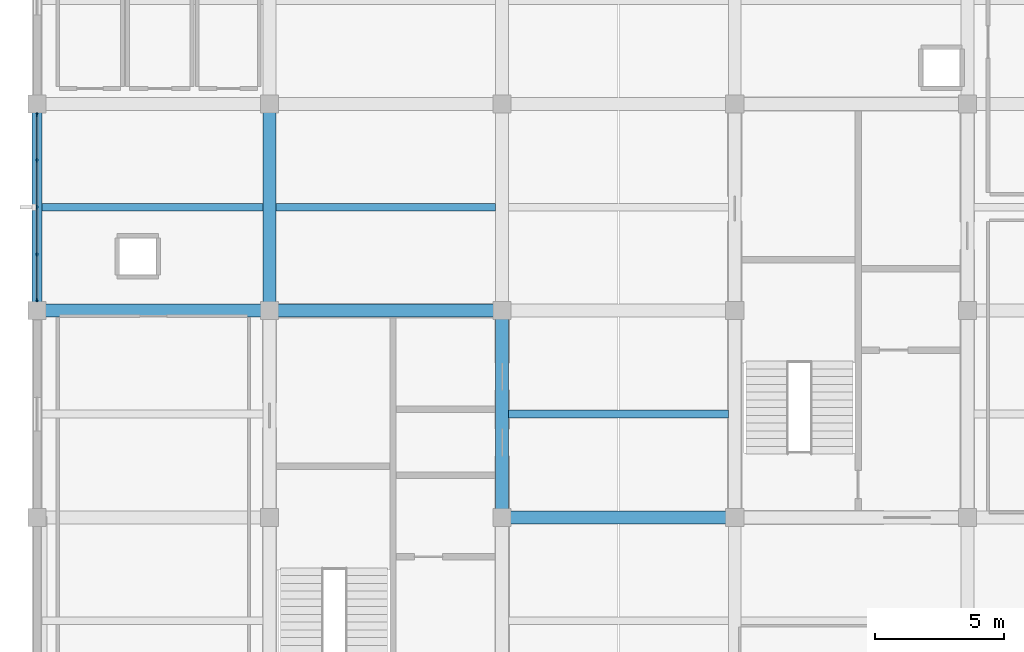
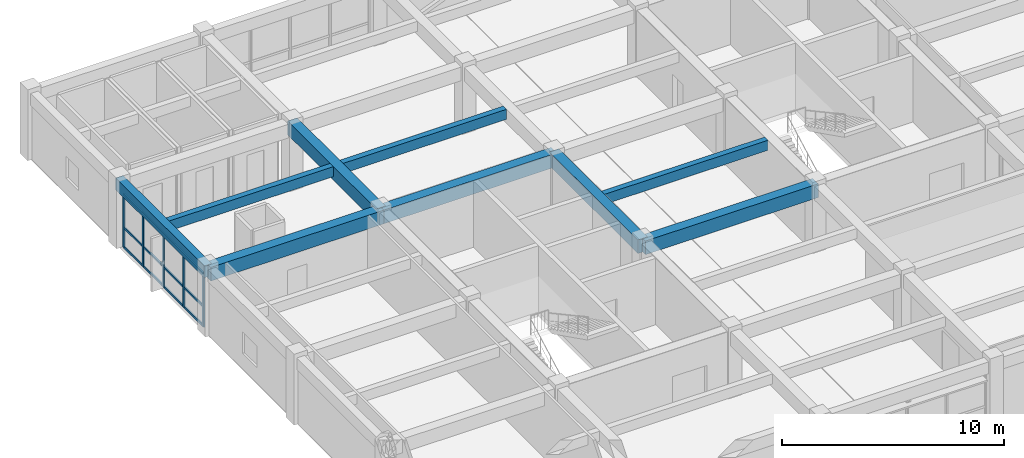
# One storey, part 4 of 13: 9 beams, 8 members, 1 element without a shape of its own.
"""IFC4 building model written with IfcOpenShell, lengths in metres."""

from ifc_helpers import new_model, si_unit, direction, frame, origin, origin_2d, place, context, subcontext, project, spatial, rectangle, extrude, material, material_profile, profile_set, type_object, element, aggregate, save


model = new_model("IFC4")

# Units and contexts
model_context = context("Model", 3, precision=1e-05, world=origin(), true_north=direction((0.0, 1.0)))
body_context = subcontext(model_context, "Body", "Model", "MODEL_VIEW")
ifc_project = project(units=[si_unit("LENGTHUNIT", "METRE"), si_unit("AREAUNIT", "SQUARE_METRE"), si_unit("VOLUMEUNIT", "CUBIC_METRE"), si_unit("PLANEANGLEUNIT", "RADIAN"), si_unit("MASSUNIT", "GRAM", prefix="KILO")], contexts=[model_context])

# Site, building, storey
site_placement = place(None, origin())
site = spatial("IfcSite", under=ifc_project, at=site_placement, CompositionType="ELEMENT")
building_placement = place(site_placement, origin())
building = spatial("IfcBuilding", under=site, at=building_placement, Name="Zaverband Oceanarium and Marine Research Institute", CompositionType="ELEMENT")
storey_placement = place(building_placement, frame((0.0, 0.0, 60.89990234375)))
storey = spatial("IfcBuildingStorey", under=building, at=storey_placement, Name="L15", CompositionType="ELEMENT", Elevation=60.89990234375)

# Beams
ifc_material_1 = material(Name="Concrete C40/50", Category="concrete")
ifc_material_profile_1 = material_profile(ifc_material_1, rectangle(XDim=0.5, YDim=0.75, at=origin_2d()), Name="RC500x750")
ifc_profile_set_1 = profile_set([ifc_material_profile_1], Name="Concrete C40/50")
beam_type_1 = type_object("IfcBeamType", Name="BM-500x750", PredefinedType="BEAM", material=ifc_profile_set_1)
for number, where, z_axis, x_axis, name in (
    (1, (27.0, 88.0, 3.275146484375), (1.0, 0.0, 0.0), (0.0, 1.0, 0.0), "Primary floor girder BM-500x750"),
    (2, (9.0, 96.0, 3.275146484375), (1.0, 0.0, 0.0), (0.0, 1.0, 0.0), "Primary floor girder BM-500x750"),
    (3, (18.0, 96.0, 3.275146484375), (1.0, 0.0, 0.0), (0.0, 1.0, 0.0), "Primary floor girder BM-500x750"),
):
    element("IfcBeam", number, at=place(storey_placement, frame(where, z_axis=z_axis, x_axis=x_axis)), inside=storey, type_object=beam_type_1, Name=name, PredefinedType="BEAM", context=body_context, shape_type="SweptSolid", body=[
        extrude(rectangle(XDim=0.5, YDim=0.75, at=origin_2d()), origin(), (0.0, 0.0, 1.0), 9.0),
    ])
for number, where, z_axis, x_axis, name in (
    (4, (18.0, 96.0, 3.275146484375), (0.0, 1.0, 0.0), (-1.0, 0.0, 0.0), "Primary floor girder BM-500x750"),
    (5, (27.0, 88.0, 3.275146484375), (0.0, 1.0, 0.0), (-1.0, 0.0, 0.0), "Primary floor girder BM-500x750"),
):
    element("IfcBeam", number, at=place(storey_placement, frame(where, z_axis=z_axis, x_axis=x_axis)), inside=storey, type_object=beam_type_1, Name=name, PredefinedType="BEAM", context=body_context, shape_type="SweptSolid", body=[
        extrude(rectangle(XDim=0.5, YDim=0.75, at=origin_2d()), origin(), (0.0, 0.0, 1.0), 8.0),
    ])
ifc_material_profile_2 = material_profile(ifc_material_1, rectangle(XDim=0.300048828125, YDim=0.550048828125, at=origin_2d()), Name="RC300x550")
ifc_profile_set_2 = profile_set([ifc_material_profile_2], Name="Concrete C40/50")
beam_type_2 = type_object("IfcBeamType", Name="JST-300x550", PredefinedType="JOIST", material=ifc_profile_set_2)
beam_1_placement = place(storey_placement, frame((9.199951171875, 100.0, 3.375), z_axis=(1.0, 0.0, 0.0), x_axis=(0.0, 1.0, 0.0)))
element("IfcBeam", 6, at=beam_1_placement, inside=storey, type_object=beam_type_2, Name="Secondary floor joist JST-300x550", PredefinedType="JOIST", context=body_context, shape_type="SweptSolid", body=[
    extrude(rectangle(XDim=0.300048828125, YDim=0.550048828125, at=origin_2d()), origin(), (0.0, 0.0, 1.0), 8.550048828125),
])
for number, where, z_axis, x_axis, name in (
    (7, (18.25, 100.0, 3.375), (1.0, 0.0, 0.0), (0.0, 1.0, 0.0), "Secondary floor joist JST-300x550"),
    (8, (27.25, 92.0, 3.375), (1.0, 0.0, 0.0), (0.0, 1.0, 0.0), "Secondary floor joist JST-300x550"),
):
    element("IfcBeam", number, at=place(storey_placement, frame(where, z_axis=z_axis, x_axis=x_axis)), inside=storey, type_object=beam_type_2, Name=name, PredefinedType="JOIST", context=body_context, shape_type="SweptSolid", body=[
        extrude(rectangle(XDim=0.300048828125, YDim=0.550048828125, at=origin_2d()), origin(), (0.0, 0.0, 1.0), 8.5),
    ])

# Curtain wall, members
ifc_material_2 = material(Name="Thermally broken anodized aluminium and solar-control glass", Category="aluminium")
curtain_wall_type = type_object("IfcCurtainWallType", Name="CW-UNIT-1800", PredefinedType="NOTDEFINED", material=ifc_material_2)
curtain_wall_placement = place(storey_placement, origin())
curtain_wall = element("IfcCurtainWall", 9, at=curtain_wall_placement, inside=storey, type_object=curtain_wall_type, Name="Unitised glazed curtain wall CW-163", PredefinedType="NOTDEFINED")
ifc_material_3 = material(Name="Thermally broken anodized aluminium", Category="aluminium")
ifc_material_profile_3 = material_profile(ifc_material_3, rectangle(XDim=0.070068359375, YDim=0.14990234375, at=origin_2d()), Name="AL-MUL-70x150")
ifc_profile_set_3 = profile_set([ifc_material_profile_3], Name="Thermally broken anodized aluminium")
member_type_1 = type_object("IfcMemberType", Name="MUL-70x150", PredefinedType="MULLION", material=ifc_profile_set_3)
member_1_placement = place(storey_placement, frame((9.0, 96.4150390625, 0.0), z_axis=(0.0, 0.0, 1.0), x_axis=(1.0, 0.0, 0.0)))
member_1 = element("IfcMember", 10, at=member_1_placement, type_object=member_type_1, Name="Curtain wall vertical mullion MUL-70x150", PredefinedType="MULLION", context=body_context, shape_type="SweptSolid", body=[
    extrude(rectangle(XDim=0.070068359375, YDim=0.14990234375, at=origin_2d()), origin(), (0.0, 0.0, 1.0), 2.97998046875),
])
member_2_placement = place(storey_placement, frame((9.0, 98.177490234375, 0.0), z_axis=(0.0, 0.0, 1.0), x_axis=(1.0, 0.0, 0.0)))
member_2 = element("IfcMember", 11, at=member_2_placement, type_object=member_type_1, Name="Curtain wall vertical mullion MUL-70x150", PredefinedType="MULLION", context=body_context, shape_type="SweptSolid", body=[
    extrude(rectangle(XDim=0.070068359375, YDim=0.14990234375, at=origin_2d()), origin(), (0.0, 0.0, 1.0), 2.97998046875),
])
member_3_placement = place(storey_placement, frame((9.0, 100.0, 0.0), z_axis=(0.0, 0.0, 1.0), x_axis=(1.0, 0.0, 0.0)))
member_3 = element("IfcMember", 12, at=member_3_placement, type_object=member_type_1, Name="Curtain wall vertical mullion MUL-70x150", PredefinedType="MULLION", context=body_context, shape_type="SweptSolid", body=[
    extrude(rectangle(XDim=0.070068359375, YDim=0.14990234375, at=origin_2d()), origin(), (0.0, 0.0, 1.0), 2.97998046875),
])
member_4_placement = place(storey_placement, frame((9.0, 101.822509765625, 0.0), z_axis=(0.0, 0.0, 1.0), x_axis=(1.0, 0.0, 0.0)))
member_4 = element("IfcMember", 13, at=member_4_placement, type_object=member_type_1, Name="Curtain wall vertical mullion MUL-70x150", PredefinedType="MULLION", context=body_context, shape_type="SweptSolid", body=[
    extrude(rectangle(XDim=0.070068359375, YDim=0.14990234375, at=origin_2d()), origin(), (0.0, 0.0, 1.0), 2.97998046875),
])
member_5_placement = place(storey_placement, frame((9.0, 103.5849609375, 0.0), z_axis=(0.0, 0.0, 1.0), x_axis=(1.0, 0.0, 0.0)))
member_5 = element("IfcMember", 14, at=member_5_placement, type_object=member_type_1, Name="Curtain wall vertical mullion MUL-70x150", PredefinedType="MULLION", context=body_context, shape_type="SweptSolid", body=[
    extrude(rectangle(XDim=0.070068359375, YDim=0.14990234375, at=origin_2d()), origin(), (0.0, 0.0, 1.0), 2.97998046875),
])

# Beam
ifc_material_profile_4 = material_profile(ifc_material_1, rectangle(XDim=0.39990234375, YDim=0.64990234375, at=origin_2d()), Name="RC400x650")
ifc_profile_set_4 = profile_set([ifc_material_profile_4], Name="Concrete C40/50")
beam_type_3 = type_object("IfcBeamType", Name="SPN-400x650", PredefinedType="SPANDREL", material=ifc_profile_set_4)
beam_2_placement = place(storey_placement, frame((9.0, 96.0, 3.3251953125), z_axis=(0.0, 1.0, 0.0), x_axis=(-1.0, 0.0, 0.0)))
element("IfcBeam", 15, at=beam_2_placement, inside=storey, type_object=beam_type_3, Name="Perimeter spandrel beam SPN-400x650", PredefinedType="SPANDREL", context=body_context, shape_type="SweptSolid", body=[
    extrude(rectangle(XDim=0.39990234375, YDim=0.64990234375, at=origin_2d()), origin(), (0.0, 0.0, 1.0), 8.0),
])

# Member
ifc_material_profile_5 = material_profile(ifc_material_3, rectangle(XDim=0.070068359375, YDim=0.114990234375, at=origin_2d()), Name="AL-TRN-70x115")
ifc_profile_set_5 = profile_set([ifc_material_profile_5], Name="Thermally broken anodized aluminium")
member_type_2 = type_object("IfcMemberType", Name="TRN-70x115", PredefinedType="USERDEFINED", material=ifc_profile_set_5)
member_6_placement = place(storey_placement, frame((9.0, 96.4150390625, 0.050048828125), z_axis=(0.0, 1.0, 0.0), x_axis=(-1.0, 0.0, 0.0)))
member_6 = element("IfcMember", 16, at=member_6_placement, type_object=member_type_2, Name="Curtain wall horizontal transom TRN-70x115", ObjectType="TRANSOM", PredefinedType="USERDEFINED", context=body_context, shape_type="SweptSolid", body=[
    extrude(rectangle(XDim=0.070068359375, YDim=0.114990234375, at=origin_2d()), origin(), (0.0, 0.0, 1.0), 7.169921875),
])

member_7_placement = place(storey_placement, frame((9.0, 96.4150390625, 1.123046875), z_axis=(0.0, 1.0, 0.0), x_axis=(-1.0, 0.0, 0.0)))
member_7 = element("IfcMember", 17, at=member_7_placement, type_object=member_type_2, Name="Curtain wall horizontal transom TRN-70x115", ObjectType="TRANSOM", PredefinedType="USERDEFINED", context=body_context, shape_type="SweptSolid", body=[
    extrude(rectangle(XDim=0.070068359375, YDim=0.114990234375, at=origin_2d()), origin(), (0.0, 0.0, 1.0), 7.169921875),
])

member_8_placement = place(storey_placement, frame((9.0, 96.4150390625, 2.93017578125), z_axis=(0.0, 1.0, 0.0), x_axis=(-1.0, 0.0, 0.0)))
member_8 = element("IfcMember", 18, at=member_8_placement, type_object=member_type_2, Name="Curtain wall horizontal transom TRN-70x115", ObjectType="TRANSOM", PredefinedType="USERDEFINED", context=body_context, shape_type="SweptSolid", body=[
    extrude(rectangle(XDim=0.070068359375, YDim=0.114990234375, at=origin_2d()), origin(), (0.0, 0.0, 1.0), 7.169921875),
])

aggregate(curtain_wall, [member_1, member_2, member_3, member_4, member_5, member_6, member_7, member_8])

save(model, "model.ifc")
